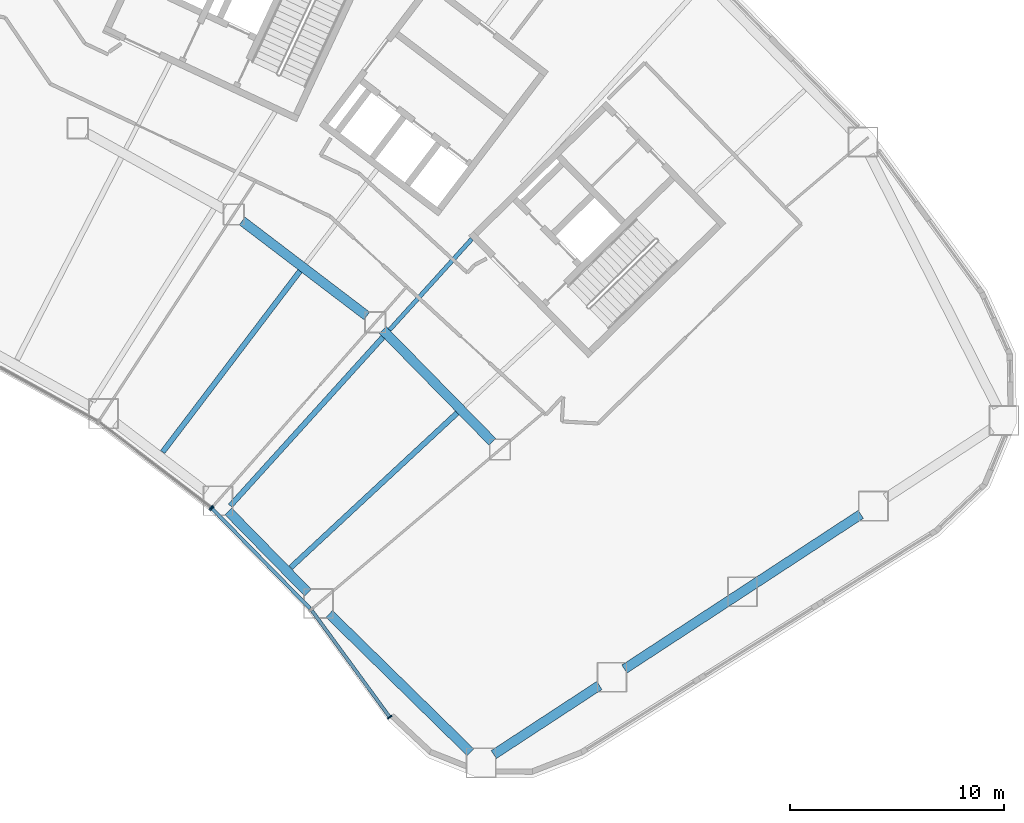
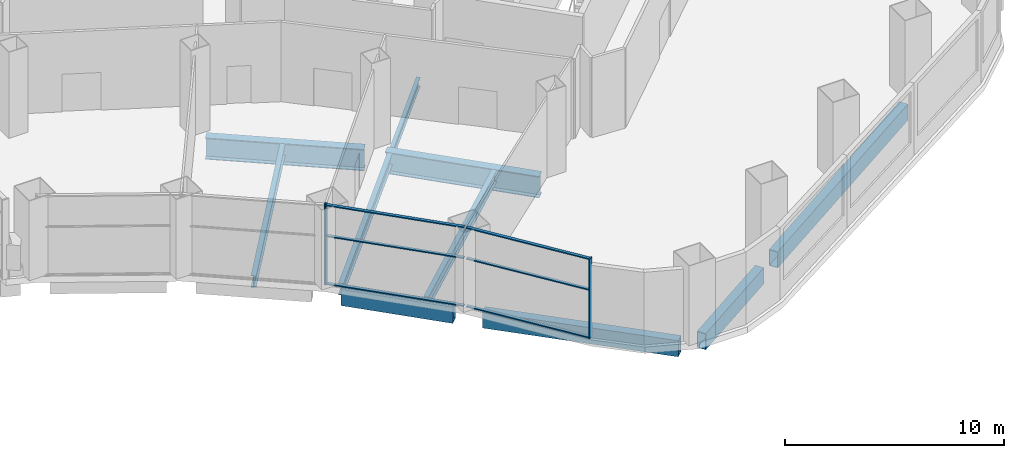
# One storey, part 11 of 26: 10 beams, 9 members, 3 elements without a shape of their own.
"""IFC4 building model written with IfcOpenShell, lengths in metres."""

from ifc_helpers import new_model, si_unit, direction, frame, origin, origin_2d, place, context, subcontext, project, spatial, rectangle, hollow_rectangle, i_section, extrude, material, layer, layer_set, material_profile, profile_set, type_object, element, aggregate, save


model = new_model("IFC4")

# Units and contexts
model_context = context("Model", 3, precision=1e-05, world=origin(), true_north=direction((0.0, 1.0)))
body_context = subcontext(model_context, "Body", "Model", "MODEL_VIEW")
ifc_project = project(units=[si_unit("LENGTHUNIT", "METRE"), si_unit("AREAUNIT", "SQUARE_METRE"), si_unit("VOLUMEUNIT", "CUBIC_METRE"), si_unit("PLANEANGLEUNIT", "RADIAN"), si_unit("MASSUNIT", "GRAM", prefix="KILO")], contexts=[model_context])

# Site, building, storey
site_placement = place(None, origin())
site = spatial("IfcSite", under=ifc_project, at=site_placement, CompositionType="ELEMENT")
building_placement = place(site_placement, origin())
building = spatial("IfcBuilding", under=site, at=building_placement, Name="Tuul Gate Civic Tower", CompositionType="ELEMENT")
storey_placement = place(building_placement, frame((0.0, 0.0, 7.5)))
storey = spatial("IfcBuildingStorey", under=building, at=storey_placement, Name="Level 01", CompositionType="ELEMENT", Elevation=7.5)

# Curtain wall, member
ifc_material_1 = material(Name="Aluminium", Category="aluminium")
ifc_layer = layer(ifc_material_1, 0.199951171875)
ifc_layer_set = layer_set([ifc_layer], Name="Aluminium")
curtain_wall_type = type_object("IfcCurtainWallType", Name="Curtain wall CW6", PredefinedType="NOTDEFINED", material=ifc_layer_set)
curtain_wall_1_placement = place(storey_placement, origin())
curtain_wall_1 = element("IfcCurtainWall", 1, at=curtain_wall_1_placement, inside=storey, type_object=curtain_wall_type, Name="Curtain wall CW6", PredefinedType="NOTDEFINED")
ifc_material_2 = material(Name="Aluminium", Category="aluminium")
ifc_material_profile_1 = material_profile(ifc_material_2, rectangle(XDim=0.239990234375, YDim=0.06005859375, at=origin_2d()), Name="CW6 mullion")
ifc_profile_set_1 = profile_set([ifc_material_profile_1], Name="Aluminium")
member_type_1 = type_object("IfcMemberType", Name="CW6 mullion", PredefinedType="MULLION", material=ifc_profile_set_1)
member_1_placement = place(storey_placement, frame((30.464111328125, -25.434814453125, 0.0), z_axis=(0.0, 0.0, 1.0), x_axis=(0.605776174218, 0.795635109048, 0.0)))
member_1 = element("IfcMember", 2, at=member_1_placement, type_object=member_type_1, Name="Mullion", PredefinedType="MULLION", context=body_context, shape_type="SweptSolid", body=[
    extrude(rectangle(XDim=0.239990234375, YDim=0.06005859375, at=origin_2d()), origin(), (0.0, 0.0, 1.0), 4.449951171875),
])
aggregate(curtain_wall_1, [member_1])

curtain_wall_2_placement = place(storey_placement, origin())
curtain_wall_2 = element("IfcCurtainWall", 3, at=curtain_wall_2_placement, inside=storey, type_object=curtain_wall_type, Name="Curtain wall CW6", PredefinedType="NOTDEFINED")
member_2_placement = place(storey_placement, frame((30.509033203125, -25.474365234375, 0.0), z_axis=(0.0, 0.0, 1.0), x_axis=(0.714131733701, 0.700011333423, 0.0)))
member_2 = element("IfcMember", 4, at=member_2_placement, type_object=member_type_1, Name="Mullion", PredefinedType="MULLION", context=body_context, shape_type="SweptSolid", body=[
    extrude(rectangle(XDim=0.239990234375, YDim=0.06005859375, at=origin_2d()), origin(), (0.0, 0.0, 1.0), 4.449951171875),
])

curtain_wall_3_placement = place(storey_placement, origin())
curtain_wall_3 = element("IfcCurtainWall", 5, at=curtain_wall_3_placement, inside=storey, type_object=curtain_wall_type, Name="Curtain wall CW6", PredefinedType="NOTDEFINED")
member_3_placement = place(storey_placement, frame((38.8232421875, -35.23974609375, 0.0), z_axis=(0.0, 0.0, 1.0), x_axis=(0.807581267597, 0.589756302404, 0.0)))
member_3 = element("IfcMember", 6, at=member_3_placement, type_object=member_type_1, Name="Mullion", PredefinedType="MULLION", context=body_context, shape_type="SweptSolid", body=[
    extrude(rectangle(XDim=0.239990234375, YDim=0.06005859375, at=origin_2d()), origin(), (0.0, 0.0, 1.0), 4.449951171875),
])

# Member
ifc_material_3 = material(Name="Aluminium", Category="aluminium")
ifc_material_profile_2 = material_profile(ifc_material_3, rectangle(XDim=0.159912109375, YDim=0.06005859375, at=origin_2d()), Name="CW6 transom")
ifc_profile_set_2 = profile_set([ifc_material_profile_2], Name="Aluminium")
member_type_2 = type_object("IfcMemberType", Name="CW6 transom", PredefinedType="USERDEFINED", material=ifc_profile_set_2)
member_4_placement = place(storey_placement, frame((30.530029296875, -25.495849609375, 0.030029296875), z_axis=(0.700012783767, -0.714130312032, 0.0), x_axis=(0.714130312032, 0.700012783767, 0.0)))
member_4 = element("IfcMember", 7, at=member_4_placement, type_object=member_type_2, Name="Transom", ObjectType="TRANSOM", PredefinedType="USERDEFINED", context=body_context, shape_type="SweptSolid", body=[
    extrude(rectangle(XDim=0.159912109375, YDim=0.06005859375, at=origin_2d()), origin(), (0.0, 0.0, 1.0), 6.536865234375),
])

member_5_placement = place(storey_placement, frame((30.530029296875, -25.495849609375, 2.699951171875), z_axis=(0.700012783767, -0.714130312032, 0.0), x_axis=(0.714130312032, 0.700012783767, 0.0)))
member_5 = element("IfcMember", 8, at=member_5_placement, type_object=member_type_2, Name="Transom", ObjectType="TRANSOM", PredefinedType="USERDEFINED", context=body_context, shape_type="SweptSolid", body=[
    extrude(rectangle(XDim=0.159912109375, YDim=0.06005859375, at=origin_2d()), origin(), (0.0, 0.0, 1.0), 6.536865234375),
])

member_6_placement = place(storey_placement, frame((30.530029296875, -25.495849609375, 4.419921875), z_axis=(0.700012783767, -0.714130312032, 0.0), x_axis=(0.714130312032, 0.700012783767, 0.0)))
member_6 = element("IfcMember", 9, at=member_6_placement, type_object=member_type_2, Name="Transom", ObjectType="TRANSOM", PredefinedType="USERDEFINED", context=body_context, shape_type="SweptSolid", body=[
    extrude(rectangle(XDim=0.159912109375, YDim=0.06005859375, at=origin_2d()), origin(), (0.0, 0.0, 1.0), 6.536865234375),
])

aggregate(curtain_wall_2, [member_2, member_4, member_5, member_6])

member_7_placement = place(storey_placement, frame((35.183349609375, -30.25537109375, 0.030029296875), z_axis=(0.589756445939, -0.807581162778, 0.0), x_axis=(0.807581162778, 0.589756445939, 0.0)))
member_7 = element("IfcMember", 10, at=member_7_placement, type_object=member_type_2, Name="Transom", ObjectType="TRANSOM", PredefinedType="USERDEFINED", context=body_context, shape_type="SweptSolid", body=[
    extrude(rectangle(XDim=0.159912109375, YDim=0.06005859375, at=origin_2d()), origin(), (0.0, 0.0, 1.0), 6.14208984375),
])

member_8_placement = place(storey_placement, frame((35.183349609375, -30.25537109375, 2.699951171875), z_axis=(0.589756445939, -0.807581162778, 0.0), x_axis=(0.807581162778, 0.589756445939, 0.0)))
member_8 = element("IfcMember", 11, at=member_8_placement, type_object=member_type_2, Name="Transom", ObjectType="TRANSOM", PredefinedType="USERDEFINED", context=body_context, shape_type="SweptSolid", body=[
    extrude(rectangle(XDim=0.159912109375, YDim=0.06005859375, at=origin_2d()), origin(), (0.0, 0.0, 1.0), 6.14208984375),
])

member_9_placement = place(storey_placement, frame((35.183349609375, -30.25537109375, 4.419921875), z_axis=(0.589756445939, -0.807581162778, 0.0), x_axis=(0.807581162778, 0.589756445939, 0.0)))
member_9 = element("IfcMember", 12, at=member_9_placement, type_object=member_type_2, Name="Transom", ObjectType="TRANSOM", PredefinedType="USERDEFINED", context=body_context, shape_type="SweptSolid", body=[
    extrude(rectangle(XDim=0.159912109375, YDim=0.06005859375, at=origin_2d()), origin(), (0.0, 0.0, 1.0), 6.14208984375),
])

aggregate(curtain_wall_3, [member_3, member_7, member_8, member_9])

# Beams
ifc_material_4 = material(Name="Steel S355", Category="steel")
ifc_material_profile_3 = material_profile(ifc_material_4, i_section(OverallWidth=0.199951171875, OverallDepth=0.5, WebThickness=0.010009765625, FlangeThickness=0.01611328125, at=origin_2d()), Name="PG500x200x10x16")
ifc_profile_set_3 = profile_set([ifc_material_profile_3], Name="Steel S355")
beam_type_1 = type_object("IfcBeamType", Name="STR-FLOOR BEAM-PG500x200x10x16", PredefinedType="BEAM", material=ifc_profile_set_3)
beam_1_placement = place(storey_placement, frame((38.812255859375, -17.125, -0.60009765625), z_axis=(0.671102625073, 0.741364462744, 0.0), x_axis=(-0.741364462744, 0.671102625073, 0.0)))
element("IfcBeam", 13, at=beam_1_placement, inside=storey, type_object=beam_type_1, Name="Floor beam", PredefinedType="BEAM", context=body_context, shape_type="SweptSolid", body=[
    extrude(i_section(OverallWidth=0.199951171875, OverallDepth=0.5, WebThickness=0.010009765625, FlangeThickness=0.01611328125, at=origin_2d()), origin(), (0.0, 0.0, 1.0), 5.740234375),
])
ifc_material_5 = material(Name="Steel S355", Category="steel")
ifc_material_profile_4 = material_profile(ifc_material_5, i_section(OverallWidth=0.25, OverallDepth=0.64990234375, WebThickness=0.011962890625, FlangeThickness=0.02001953125, at=origin_2d()), Name="PG650x250x12x20")
ifc_profile_set_4 = profile_set([ifc_material_profile_4], Name="Steel S355")
beam_type_2 = type_object("IfcBeamType", Name="STR-FLOOR BEAM-PG650x250x12x20", PredefinedType="BEAM", material=ifc_profile_set_4)
beam_2_placement = place(storey_placement, frame((34.19580078125, -28.236572265625, -0.675048828125), z_axis=(0.732685493637, 0.680567386387, 0.0), x_axis=(-0.680567386387, 0.732685493637, 0.0)))
element("IfcBeam", 14, at=beam_2_placement, inside=storey, type_object=beam_type_2, Name="Floor beam", PredefinedType="BEAM", context=body_context, shape_type="SweptSolid", body=[
    extrude(i_section(OverallWidth=0.25, OverallDepth=0.64990234375, WebThickness=0.011962890625, FlangeThickness=0.02001953125, at=origin_2d()), origin(), (0.0, 0.0, 1.0), 10.62890625),
])
beam_3_placement = place(storey_placement, frame((31.366455078125, -25.35009765625, -0.675048828125), z_axis=(0.671117501912, 0.741350995567, 0.0), x_axis=(-0.741350995567, 0.671117501912, 0.0)))
element("IfcBeam", 15, at=beam_3_placement, inside=storey, type_object=beam_type_2, Name="Floor beam", PredefinedType="BEAM", context=body_context, shape_type="SweptSolid", body=[
    extrude(i_section(OverallWidth=0.25, OverallDepth=0.64990234375, WebThickness=0.011962890625, FlangeThickness=0.02001953125, at=origin_2d()), origin(), (0.0, 0.0, 1.0), 10.643798828125),
])
beam_4_placement = place(storey_placement, frame((28.20361328125, -22.83447265625, -0.675048828125), z_axis=(0.604505162529, 0.796601222995, 0.0), x_axis=(-0.796601222995, 0.604505162529, 0.0)))
element("IfcBeam", 16, at=beam_4_placement, inside=storey, type_object=beam_type_2, Name="Floor beam", PredefinedType="BEAM", context=body_context, shape_type="SweptSolid", body=[
    extrude(i_section(OverallWidth=0.25, OverallDepth=0.64990234375, WebThickness=0.011962890625, FlangeThickness=0.02001953125, at=origin_2d()), origin(), (0.0, 0.0, 1.0), 10.625),
])
ifc_material_6 = material(Name="Steel S355", Category="steel")
ifc_material_profile_5 = material_profile(ifc_material_6, i_section(OverallWidth=0.449951171875, OverallDepth=1.199951171875, WebThickness=0.02001953125, FlangeThickness=0.0400390625, at=origin_2d()), Name="PG1200x450x20x40")
ifc_profile_set_5 = profile_set([ifc_material_profile_5], Name="Steel S355")
beam_type_3 = type_object("IfcBeamType", Name="STR-RING BEAM-PG1200x450x20x40", PredefinedType="BEAM", material=ifc_profile_set_5)
beam_5_placement = place(storey_placement, frame((31.920166015625, -12.02734375, -0.949951171875), z_axis=(0.795630466158, -0.605782272207, 0.0), x_axis=(0.605782272207, 0.795630466158, 0.0)))
element("IfcBeam", 17, at=beam_5_placement, inside=storey, type_object=beam_type_3, Name="Ring girder", PredefinedType="BEAM", context=body_context, shape_type="SweptSolid", body=[
    extrude(i_section(OverallWidth=0.449951171875, OverallDepth=1.199951171875, WebThickness=0.02001953125, FlangeThickness=0.0400390625, at=origin_2d()), origin(), (0.0, 0.0, 1.0), 7.330078125),
])
beam_6_placement = place(storey_placement, frame((38.5, -17.127685546875, -0.949951171875), z_axis=(0.699994492155, -0.71414824158, 0.0), x_axis=(0.71414824158, 0.699994492155, 0.0)))
element("IfcBeam", 18, at=beam_6_placement, inside=storey, type_object=beam_type_3, Name="Ring girder", PredefinedType="BEAM", context=body_context, shape_type="SweptSolid", body=[
    extrude(i_section(OverallWidth=0.449951171875, OverallDepth=1.199951171875, WebThickness=0.02001953125, FlangeThickness=0.0400390625, at=origin_2d()), origin(), (0.0, 0.0, 1.0), 7.330810546875),
])
ifc_material_7 = material(Name="Steel S355", Category="steel")
ifc_material_profile_6 = material_profile(ifc_material_7, hollow_rectangle(XDim=0.449951171875, YDim=0.89990234375, WallThickness=0.02490234375, at=origin_2d()), Name="BOX900x450x25")
ifc_profile_set_6 = profile_set([ifc_material_profile_6], Name="Steel S355")
beam_type_4 = type_object("IfcBeamType", Name="STR-SPANDREL BEAM-BOX900x450x25", PredefinedType="BEAM", material=ifc_profile_set_6)
beam_7_placement = place(storey_placement, frame((31.276123046875, -25.614990234375, -0.800048828125), z_axis=(0.700007662648, -0.714135331876, 0.0), x_axis=(0.714135331876, 0.700007662648, 0.0)))
element("IfcBeam", 19, at=beam_7_placement, inside=storey, type_object=beam_type_4, Name="Spandrel beam", PredefinedType="BEAM", context=body_context, shape_type="SweptSolid", body=[
    extrude(hollow_rectangle(XDim=0.449951171875, YDim=0.89990234375, WallThickness=0.02490234375, at=origin_2d()), origin(), (0.0, 0.0, 1.0), 5.322509765625),
])
beam_8_placement = place(storey_placement, frame((35.991943359375, -30.406005859375, -0.800048828125), z_axis=(0.714257932821, -0.699882565437, 0.0), x_axis=(0.699882565437, 0.714257932821, 0.0)))
element("IfcBeam", 20, at=beam_8_placement, inside=storey, type_object=beam_type_4, Name="Spandrel beam", PredefinedType="BEAM", context=body_context, shape_type="SweptSolid", body=[
    extrude(hollow_rectangle(XDim=0.449951171875, YDim=0.89990234375, WallThickness=0.02490234375, at=origin_2d()), origin(), (0.0, 0.0, 1.0), 9.255859375),
])
beam_9_placement = place(storey_placement, frame((43.688720703125, -36.99072265625, -0.800048828125), z_axis=(0.836737319566, 0.547604472265, 0.0), x_axis=(-0.547604472265, 0.836737319566, 0.0)))
element("IfcBeam", 21, at=beam_9_placement, inside=storey, type_object=beam_type_4, Name="Spandrel beam", PredefinedType="BEAM", context=body_context, shape_type="SweptSolid", body=[
    extrude(hollow_rectangle(XDim=0.449951171875, YDim=0.89990234375, WallThickness=0.02490234375, at=origin_2d()), origin(), (0.0, 0.0, 1.0), 5.908203125),
])
beam_10_placement = place(storey_placement, frame((49.8037109375, -32.98876953125, -0.800048828125), z_axis=(0.836741071493, 0.547598739294, 0.0), x_axis=(-0.547598739294, 0.836741071493, 0.0)))
element("IfcBeam", 22, at=beam_10_placement, inside=storey, type_object=beam_type_4, Name="Spandrel beam", PredefinedType="BEAM", context=body_context, shape_type="SweptSolid", body=[
    extrude(hollow_rectangle(XDim=0.449951171875, YDim=0.89990234375, WallThickness=0.02490234375, at=origin_2d()), origin(), (0.0, 0.0, 1.0), 13.215087890625),
])

save(model, "model.ifc")
